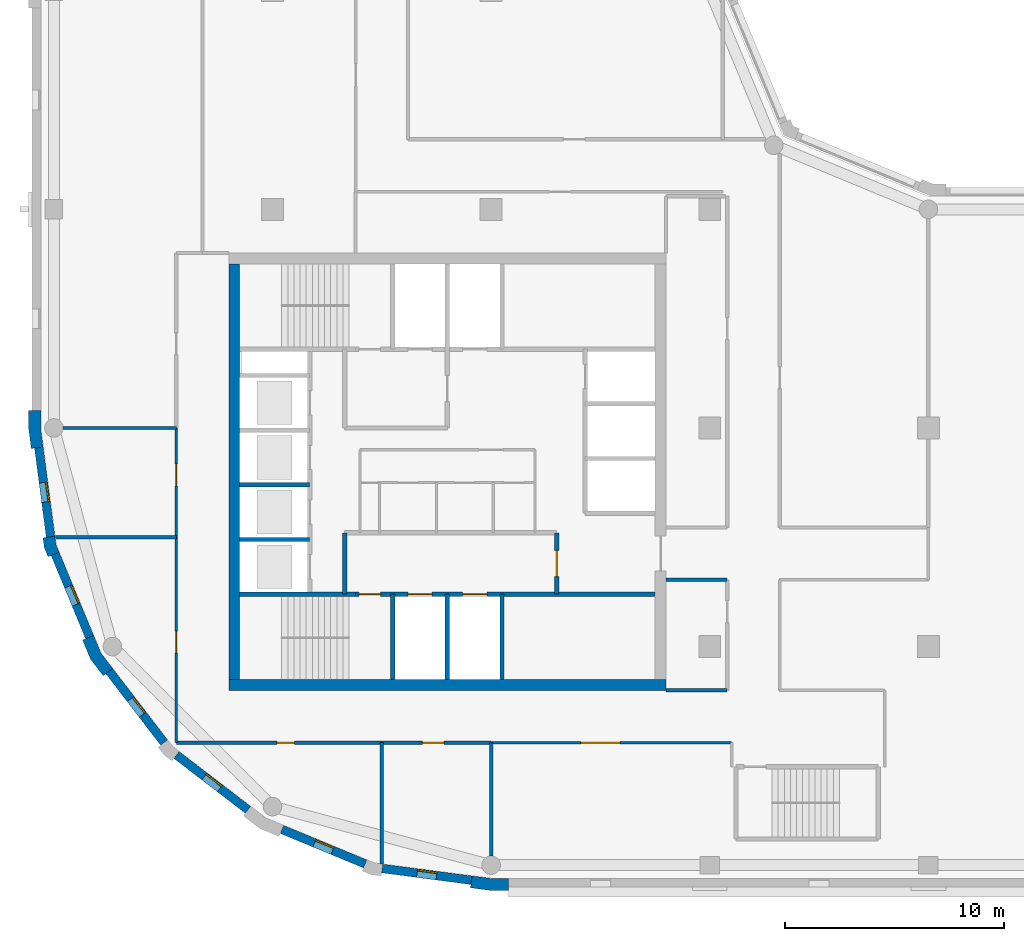
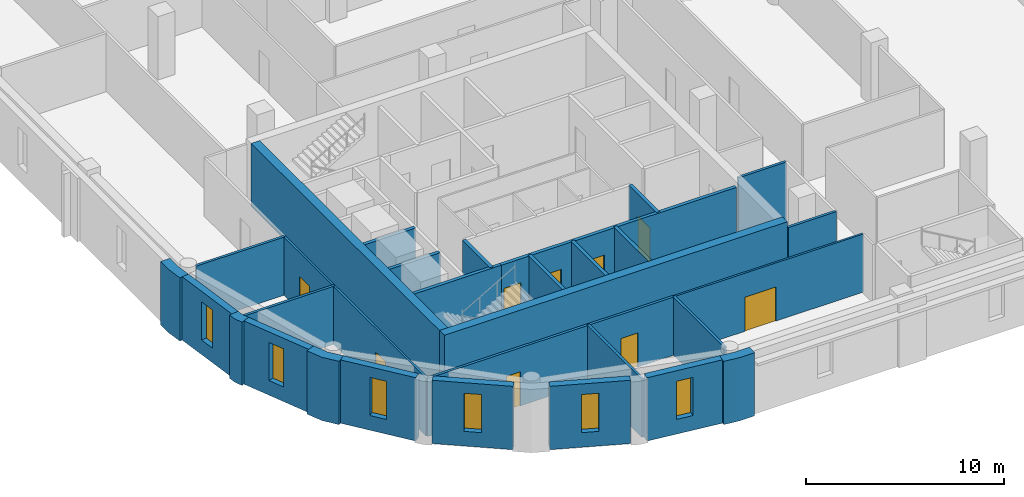
# One storey, part 2 of 9: 30 walls, 9 doors, 6 windows, 15 openings.
"""IFC4 building model written with IfcOpenShell, lengths in metres."""

from ifc_helpers import new_model, si_unit, direction, frame, frame_2d, origin, place, context, subcontext, project, spatial, polyline, rectangle, outline, extrude, material, layer, layer_set, type_object, element, fill, save


model = new_model("IFC4")

# Units and contexts
model_context = context("Model", 3, precision=1e-05, world=origin(), true_north=direction((0.0, 1.0)))
body_context = subcontext(model_context, "Body", "Model", "MODEL_VIEW")
ifc_project = project(units=[si_unit("LENGTHUNIT", "METRE"), si_unit("AREAUNIT", "SQUARE_METRE"), si_unit("VOLUMEUNIT", "CUBIC_METRE"), si_unit("PLANEANGLEUNIT", "RADIAN"), si_unit("MASSUNIT", "GRAM", prefix="KILO")], contexts=[model_context])

# Site, building, storey
site_placement = place(None, origin())
site = spatial("IfcSite", under=ifc_project, at=site_placement, CompositionType="ELEMENT")
building_placement = place(site_placement, origin())
building = spatial("IfcBuilding", under=site, at=building_placement, Name="Qaws Garden Tower", CompositionType="ELEMENT")
storey_placement = place(building_placement, frame((0.0, 0.0, 267.0)))
storey = spatial("IfcBuildingStorey", under=building, at=storey_placement, Name="L64", CompositionType="ELEMENT", Elevation=267.0)

# Wall, opening, window
ifc_material_1 = material(Name="Clay facing brick masonry", Category="masonry")
ifc_layer_1 = layer(ifc_material_1, 0.39990234375)
ifc_layer_set_1 = layer_set([ifc_layer_1], Name="Clay facing brick masonry")
wall_type_1 = type_object("IfcWallType", Name="Brick infill wall 400", PredefinedType="SOLIDWALL", material=ifc_layer_set_1)
wall_1_placement = place(storey_placement, frame((-0.688720703125, 19.102294921875, 0.0), z_axis=(0.0, 0.0, 1.0), x_axis=(0.130514280502, -0.991446429508, 0.0)))
wall_1 = element("IfcWall", 1, at=wall_1_placement, inside=storey, type_object=wall_type_1, Name="E-L64-infill-23", PredefinedType="SOLIDWALL", context=body_context, shape_type="SweptSolid", body=[
    extrude(rectangle(XDim=4.120849609375, YDim=0.39990234375, at=frame_2d((2.060546875, 0.0))), origin(), (0.0, 0.0, 1.0), 3.89990234375),
])
opening_1_placement = place(wall_1_placement, frame((1.610595703125, 0.0, 0.89990234375)))
opening_1 = element("IfcOpeningElement", 2, at=opening_1_placement, cuts=wall_1, Name="Opening W09", PredefinedType="OPENING", context=body_context, shape_type="SweptSolid", body=[
    extrude(rectangle(XDim=0.89990234375, YDim=2.35009765625, at=frame_2d((0.449951171875, 1.175048828125))), frame((0.0, 0.2099609375, 0.0), z_axis=(0.0, -1.0, 0.0), x_axis=(1.0, 0.0, 0.0)), (0.0, 0.0, 1.0), 0.419921875),
])
ifc_material_2 = material(Name="Aluminium framed window, clear glazing", Category="aluminium")
window_type = type_object("IfcWindowType", Name="Slit window 900 x 2350", PartitioningType="SINGLE_PANEL", PredefinedType="WINDOW", material=ifc_material_2)
window_1_placement = place(opening_1_placement, origin())
window_1 = element("IfcWindow", 3, at=window_1_placement, inside=storey, type_object=window_type, Name="E-L64-window-23-0", OverallHeight=2.35009765625, OverallWidth=0.89990234375, PartitioningType="SINGLE_PANEL", PredefinedType="WINDOW", context=body_context, shape_type="SweptSolid", body=[
    extrude(rectangle(XDim=0.89990234375, YDim=2.35009765625, at=frame_2d((0.449951171875, 1.175048828125))), frame((0.0, 0.159912109375, 0.0), z_axis=(0.0, -1.0, 0.0), x_axis=(1.0, 0.0, 0.0)), (0.0, 0.0, 1.0), 0.06005859375),
])
fill(opening_1, window_1)

wall_2_placement = place(storey_placement, frame((0.05712890625, 14.240234375, 0.0), z_axis=(0.0, 0.0, 1.0), x_axis=(0.382721546029, -0.923863744394, 0.0)))
wall_2 = element("IfcWall", 4, at=wall_2_placement, inside=storey, type_object=wall_type_1, Name="E-L64-infill-24", PredefinedType="SOLIDWALL", context=body_context, shape_type="SweptSolid", body=[
    extrude(rectangle(XDim=4.120849609375, YDim=0.39990234375, at=frame_2d((2.060546875, 0.0))), origin(), (0.0, 0.0, 1.0), 3.89990234375),
])
opening_2_placement = place(wall_2_placement, frame((1.610595703125, 0.0, 0.89990234375)))
opening_2 = element("IfcOpeningElement", 5, at=opening_2_placement, cuts=wall_2, Name="Opening W09", PredefinedType="OPENING", context=body_context, shape_type="SweptSolid", body=[
    extrude(rectangle(XDim=0.89990234375, YDim=2.35009765625, at=frame_2d((0.449951171875, 1.175048828125))), frame((0.0, 0.2099609375, 0.0), z_axis=(0.0, -1.0, 0.0), x_axis=(1.0, 0.0, 0.0)), (0.0, 0.0, 1.0), 0.419921875),
])
window_2_placement = place(opening_2_placement, origin())
window_2 = element("IfcWindow", 6, at=window_2_placement, inside=storey, type_object=window_type, Name="E-L64-window-24-0", OverallHeight=2.35009765625, OverallWidth=0.89990234375, PartitioningType="SINGLE_PANEL", PredefinedType="WINDOW", context=body_context, shape_type="SweptSolid", body=[
    extrude(rectangle(XDim=0.89990234375, YDim=2.35009765625, at=frame_2d((0.449951171875, 1.175048828125))), frame((0.0, 0.159912109375, 0.0), z_axis=(0.0, -1.0, 0.0), x_axis=(1.0, 0.0, 0.0)), (0.0, 0.0, 1.0), 0.06005859375),
])
fill(opening_2, window_2)

wall_3_placement = place(storey_placement, frame((2.53173828125, 8.87841796875, 0.0), z_axis=(0.0, 0.0, 1.0), x_axis=(0.608759824817, -0.793354571229, 0.0)))
wall_3 = element("IfcWall", 7, at=wall_3_placement, inside=storey, type_object=wall_type_1, Name="E-L64-infill-25", PredefinedType="SOLIDWALL", context=body_context, shape_type="SweptSolid", body=[
    extrude(rectangle(XDim=4.12109375, YDim=0.39990234375, at=frame_2d((2.060546875, 0.0))), origin(), (0.0, 0.0, 1.0), 3.89990234375),
])
opening_3_placement = place(wall_3_placement, frame((1.610595703125, 0.0, 0.89990234375)))
opening_3 = element("IfcOpeningElement", 8, at=opening_3_placement, cuts=wall_3, Name="Opening W09", PredefinedType="OPENING", context=body_context, shape_type="SweptSolid", body=[
    extrude(rectangle(XDim=0.89990234375, YDim=2.35009765625, at=frame_2d((0.449951171875, 1.175048828125))), frame((0.0, 0.2099609375, 0.0), z_axis=(0.0, -1.0, 0.0), x_axis=(1.0, 0.0, 0.0)), (0.0, 0.0, 1.0), 0.419921875),
])
window_3_placement = place(opening_3_placement, origin())
window_3 = element("IfcWindow", 9, at=window_3_placement, inside=storey, type_object=window_type, Name="E-L64-window-25-0", OverallHeight=2.35009765625, OverallWidth=0.89990234375, PartitioningType="SINGLE_PANEL", PredefinedType="WINDOW", context=body_context, shape_type="SweptSolid", body=[
    extrude(rectangle(XDim=0.89990234375, YDim=2.35009765625, at=frame_2d((0.449951171875, 1.175048828125))), frame((0.0, 0.159912109375, 0.0), z_axis=(0.0, -1.0, 0.0), x_axis=(1.0, 0.0, 0.0)), (0.0, 0.0, 1.0), 0.06005859375),
])
fill(opening_3, window_3)

wall_4_placement = place(storey_placement, frame((5.60888671875, 5.04052734375, 0.0), z_axis=(0.0, 0.0, 1.0), x_axis=(0.793354571229, -0.608759824817, 0.0)))
wall_4 = element("IfcWall", 10, at=wall_4_placement, inside=storey, type_object=wall_type_1, Name="E-L64-infill-26", PredefinedType="SOLIDWALL", context=body_context, shape_type="SweptSolid", body=[
    extrude(rectangle(XDim=4.12109375, YDim=0.39990234375, at=frame_2d((2.060546875, 0.0))), origin(), (0.0, 0.0, 1.0), 3.89990234375),
])
opening_4_placement = place(wall_4_placement, frame((1.610595703125, 0.0, 0.89990234375)))
opening_4 = element("IfcOpeningElement", 11, at=opening_4_placement, cuts=wall_4, Name="Opening W09", PredefinedType="OPENING", context=body_context, shape_type="SweptSolid", body=[
    extrude(rectangle(XDim=0.89990234375, YDim=2.35009765625, at=frame_2d((0.449951171875, 1.175048828125))), frame((0.0, 0.2099609375, 0.0), z_axis=(0.0, -1.0, 0.0), x_axis=(1.0, 0.0, 0.0)), (0.0, 0.0, 1.0), 0.419921875),
])
window_4_placement = place(opening_4_placement, origin())
window_4 = element("IfcWindow", 12, at=window_4_placement, inside=storey, type_object=window_type, Name="E-L64-window-26-0", OverallHeight=2.35009765625, OverallWidth=0.89990234375, PartitioningType="SINGLE_PANEL", PredefinedType="WINDOW", context=body_context, shape_type="SweptSolid", body=[
    extrude(rectangle(XDim=0.89990234375, YDim=2.35009765625, at=frame_2d((0.449951171875, 1.175048828125))), frame((0.0, 0.159912109375, 0.0), z_axis=(0.0, -1.0, 0.0), x_axis=(1.0, 0.0, 0.0)), (0.0, 0.0, 1.0), 0.06005859375),
])
fill(opening_4, window_4)

wall_5_placement = place(storey_placement, frame((10.43310546875, 1.63427734375, 0.0), z_axis=(0.0, 0.0, 1.0), x_axis=(0.923863744394, -0.382721546029, 0.0)))
wall_5 = element("IfcWall", 13, at=wall_5_placement, inside=storey, type_object=wall_type_1, Name="E-L64-infill-27", PredefinedType="SOLIDWALL", context=body_context, shape_type="SweptSolid", body=[
    extrude(rectangle(XDim=4.120849609375, YDim=0.39990234375, at=frame_2d((2.060546875, 0.0))), origin(), (0.0, 0.0, 1.0), 3.89990234375),
])
opening_5_placement = place(wall_5_placement, frame((1.610595703125, 0.0, 0.89990234375)))
opening_5 = element("IfcOpeningElement", 14, at=opening_5_placement, cuts=wall_5, Name="Opening W09", PredefinedType="OPENING", context=body_context, shape_type="SweptSolid", body=[
    extrude(rectangle(XDim=0.89990234375, YDim=2.35009765625, at=frame_2d((0.449951171875, 1.175048828125))), frame((0.0, 0.2099609375, 0.0), z_axis=(0.0, -1.0, 0.0), x_axis=(1.0, 0.0, 0.0)), (0.0, 0.0, 1.0), 0.419921875),
])
window_5_placement = place(opening_5_placement, origin())
window_5 = element("IfcWindow", 15, at=window_5_placement, inside=storey, type_object=window_type, Name="E-L64-window-27-0", OverallHeight=2.35009765625, OverallWidth=0.89990234375, PartitioningType="SINGLE_PANEL", PredefinedType="WINDOW", context=body_context, shape_type="SweptSolid", body=[
    extrude(rectangle(XDim=0.89990234375, YDim=2.35009765625, at=frame_2d((0.449951171875, 1.175048828125))), frame((0.0, 0.159912109375, 0.0), z_axis=(0.0, -1.0, 0.0), x_axis=(1.0, 0.0, 0.0)), (0.0, 0.0, 1.0), 0.06005859375),
])
fill(opening_5, window_5)

wall_6_placement = place(storey_placement, frame((15.0166015625, -0.15087890625, 0.0), z_axis=(0.0, 0.0, 1.0), x_axis=(0.991446429508, -0.130514280502, 0.0)))
wall_6 = element("IfcWall", 16, at=wall_6_placement, inside=storey, type_object=wall_type_1, Name="E-L64-infill-28", PredefinedType="SOLIDWALL", context=body_context, shape_type="SweptSolid", body=[
    extrude(rectangle(XDim=4.120849609375, YDim=0.39990234375, at=frame_2d((2.060546875, 0.0))), origin(), (0.0, 0.0, 1.0), 3.89990234375),
])
opening_6_placement = place(wall_6_placement, frame((1.610595703125, 0.0, 0.89990234375)))
opening_6 = element("IfcOpeningElement", 17, at=opening_6_placement, cuts=wall_6, Name="Opening W09", PredefinedType="OPENING", context=body_context, shape_type="SweptSolid", body=[
    extrude(rectangle(XDim=0.89990234375, YDim=2.35009765625, at=frame_2d((0.449951171875, 1.175048828125))), frame((0.0, 0.2099609375, 0.0), z_axis=(0.0, -1.0, 0.0), x_axis=(1.0, 0.0, 0.0)), (0.0, 0.0, 1.0), 0.419921875),
])
window_6_placement = place(opening_6_placement, origin())
window_6 = element("IfcWindow", 18, at=window_6_placement, inside=storey, type_object=window_type, Name="E-L64-window-28-0", OverallHeight=2.35009765625, OverallWidth=0.89990234375, PartitioningType="SINGLE_PANEL", PredefinedType="WINDOW", context=body_context, shape_type="SweptSolid", body=[
    extrude(rectangle(XDim=0.89990234375, YDim=2.35009765625, at=frame_2d((0.449951171875, 1.175048828125))), frame((0.0, 0.159912109375, 0.0), z_axis=(0.0, -1.0, 0.0), x_axis=(1.0, 0.0, 0.0)), (0.0, 0.0, 1.0), 0.06005859375),
])
fill(opening_6, window_6)

# Walls
ifc_material_3 = material(Name="Clay facing brick masonry", Category="masonry")
ifc_layer_2 = layer(ifc_material_3, 0.550048828125)
ifc_layer_set_2 = layer_set([ifc_layer_2], Name="Clay facing brick masonry")
wall_type_2 = type_object("IfcWallType", Name="Brick kink pier 550 x 600", PredefinedType="SOLIDWALL", material=ifc_layer_set_2)
placement = place(storey_placement, origin())
element("IfcWall", 19, at=placement, inside=storey, type_object=wall_type_2, Name="E-L64-pier-24", PredefinedType="SOLIDWALL", context=body_context, shape_type="SweptSolid", body=[
    extrude(outline(polyline([(-0.34912109375, 14.990478515625), (-0.497802734375, 14.970947265625), (-0.43896484375, 14.5234375), (-0.26611328125, 14.1064453125), (-0.127685546875, 14.163818359375), (0.241943359375, 14.31689453125), (0.096923828125, 14.6669921875), (0.04736328125, 15.042724609375), (-0.34912109375, 14.990478515625)])), origin(), (0.0, 0.0, 1.0), 3.89990234375),
])
ifc_material_4 = material(Name="Clay facing brick masonry", Category="masonry")
ifc_layer_3 = layer(ifc_material_4, 0.550048828125)
ifc_layer_set_3 = layer_set([ifc_layer_3], Name="Clay facing brick masonry")
wall_type_3 = type_object("IfcWallType", Name="Brick pier 550 x 1600", PredefinedType="SOLIDWALL", material=ifc_layer_set_3)
element("IfcWall", 20, at=placement, inside=storey, type_object=wall_type_3, Name="E-L64-pier-00", PredefinedType="SOLIDWALL", context=body_context, shape_type="SweptSolid", body=[
    extrude(outline(polyline([(19.076416015625, -0.886962890625), (19.056640625, -1.03564453125), (19.924560546875, -1.14990234375), (20.800048828125, -1.14990234375), (20.800048828125, -1.0), (20.800048828125, -0.60009765625), (19.960693359375, -0.60009765625), (19.12841796875, -0.490478515625), (19.076416015625, -0.886962890625)])), origin(), (0.0, 0.0, 1.0), 3.89990234375),
])
element("IfcWall", 21, at=placement, inside=storey, type_object=wall_type_3, Name="E-L64-pier-23", PredefinedType="SOLIDWALL", context=body_context, shape_type="SweptSolid", body=[
    extrude(outline(polyline([(-1.0, 20.800048828125), (-1.14990234375, 20.800048828125), (-1.14990234375, 19.924560546875), (-1.03564453125, 19.056640625), (-0.886962890625, 19.076416015625), (-0.490478515625, 19.12841796875), (-0.60009765625, 19.960693359375), (-0.60009765625, 20.800048828125), (-1.0, 20.800048828125)])), origin(), (0.0, 0.0, 1.0), 3.89990234375),
])
element("IfcWall", 22, at=placement, inside=storey, type_object=wall_type_3, Name="E-L64-pier-25", PredefinedType="SOLIDWALL", context=body_context, shape_type="SweptSolid", body=[
    extrude(outline(polyline([(1.449462890625, 10.3564453125), (1.310791015625, 10.299072265625), (1.675048828125, 9.419921875), (2.254150390625, 8.665283203125), (2.373046875, 8.756591796875), (2.6904296875, 9.0), (2.1552734375, 9.697509765625), (1.819091796875, 10.509521484375), (1.449462890625, 10.3564453125)])), origin(), (0.0, 0.0, 1.0), 3.89990234375),
])
ifc_material_5 = material(Name="Concrete C60", Category="concrete")
ifc_layer_4 = layer(ifc_material_5, 0.199951171875)
ifc_layer_set_4 = layer_set([ifc_layer_4], Name="Concrete C60")
wall_type_4 = type_object("IfcWallType", Name="Core shaft wall 200 C60", PredefinedType="SHEAR", material=ifc_layer_set_4)
wall_11_placement = place(storey_placement, frame((8.5, 12.39990234375, 0.0), z_axis=(0.0, 0.0, 1.0), x_axis=(1.0, 0.0, 0.0)))
element("IfcWall", 23, at=wall_11_placement, inside=storey, type_object=wall_type_4, Name="Shaft wall", PredefinedType="SHEAR", context=body_context, shape_type="SweptSolid", body=[
    extrude(rectangle(XDim=5.300048828125, YDim=0.199951171875, at=frame_2d((2.64990234375, 0.0))), origin(), (0.0, 0.0, 1.0), 3.580078125),
])

# Wall, openings, doors
wall_12_placement = place(storey_placement, frame((13.800048828125, 12.39990234375, 0.0), z_axis=(0.0, 0.0, 1.0), x_axis=(1.0, 0.0, 0.0)))
wall_12 = element("IfcWall", 24, at=wall_12_placement, inside=storey, type_object=wall_type_4, Name="Shaft wall", PredefinedType="SHEAR", context=body_context, shape_type="SweptSolid", body=[
    extrude(rectangle(XDim=13.699951171875, YDim=0.199951171875, at=frame_2d((6.85009765625, 0.0))), origin(), (0.0, 0.0, 1.0), 3.580078125),
])
opening_7_placement = place(wall_12_placement, frame((2.39990234375, 0.0, 0.0)))
opening_7 = element("IfcOpeningElement", 25, at=opening_7_placement, cuts=wall_12, Name="Opening LD06", PredefinedType="OPENING", context=body_context, shape_type="SweptSolid", body=[
    extrude(rectangle(XDim=1.10009765625, YDim=2.10009765625, at=frame_2d((0.550048828125, 1.050048828125))), frame((0.0, 0.10986328125, 0.0), z_axis=(0.0, -1.0, 0.0), x_axis=(1.0, 0.0, 0.0)), (0.0, 0.0, 1.0), 0.219970703125),
])
opening_8_placement = place(wall_12_placement, frame((4.89990234375, 0.0, 0.0)))
opening_8 = element("IfcOpeningElement", 26, at=opening_8_placement, cuts=wall_12, Name="Opening LD07", PredefinedType="OPENING", context=body_context, shape_type="SweptSolid", body=[
    extrude(rectangle(XDim=1.10009765625, YDim=2.10009765625, at=frame_2d((0.550048828125, 1.050048828125))), frame((0.0, 0.10986328125, 0.0), z_axis=(0.0, -1.0, 0.0), x_axis=(1.0, 0.0, 0.0)), (0.0, 0.0, 1.0), 0.219970703125),
])
opening_9_placement = place(wall_12_placement, frame((0.14990234375, 0.0, 0.0)))
opening_9 = element("IfcOpeningElement", 27, at=opening_9_placement, cuts=wall_12, Name="Opening SD10", PredefinedType="OPENING", context=body_context, shape_type="SweptSolid", body=[
    extrude(rectangle(XDim=1.0, YDim=2.10009765625, at=frame_2d((0.5, 1.050048828125))), frame((0.0, 0.10986328125, 0.0), z_axis=(0.0, -1.0, 0.0), x_axis=(1.0, 0.0, 0.0)), (0.0, 0.0, 1.0), 0.219970703125),
])
ifc_material_6 = material(Name="Steel S235", Category="steel")
door_type_1 = type_object("IfcDoorType", Name="Landing door 1100x2100", OperationType="DOUBLE_DOOR_SLIDING", PredefinedType="DOOR", material=ifc_material_6)
door_1_placement = place(opening_7_placement, origin())
door_1 = element("IfcDoor", 28, at=door_1_placement, inside=storey, type_object=door_type_1, Name="Lift FF1 landing door", OperationType="DOUBLE_DOOR_SLIDING", OverallHeight=2.10009765625, OverallWidth=1.10009765625, PredefinedType="DOOR", context=body_context, shape_type="SweptSolid", body=[
    extrude(rectangle(XDim=1.10009765625, YDim=2.10009765625, at=frame_2d((0.550048828125, 1.050048828125))), frame((0.0, 0.02490234375, 0.0), z_axis=(0.0, -1.0, 0.0), x_axis=(1.0, 0.0, 0.0)), (0.0, 0.0, 1.0), 0.050048828125),
])
fill(opening_7, door_1)
door_2_placement = place(opening_8_placement, origin())
door_2 = element("IfcDoor", 29, at=door_2_placement, inside=storey, type_object=door_type_1, Name="Lift FF2 landing door", OperationType="DOUBLE_DOOR_SLIDING", OverallHeight=2.10009765625, OverallWidth=1.10009765625, PredefinedType="DOOR", context=body_context, shape_type="SweptSolid", body=[
    extrude(rectangle(XDim=1.10009765625, YDim=2.10009765625, at=frame_2d((0.550048828125, 1.050048828125))), frame((0.0, 0.02490234375, 0.0), z_axis=(0.0, -1.0, 0.0), x_axis=(1.0, 0.0, 0.0)), (0.0, 0.0, 1.0), 0.050048828125),
])
fill(opening_8, door_2)
ifc_material_7 = material(Name="Steel S235", Category="steel")
door_type_2 = type_object("IfcDoorType", Name="Stair door 1000x2100", OperationType="SINGLE_SWING_RIGHT", PredefinedType="DOOR", material=ifc_material_7)
door_3_placement = place(opening_9_placement, frame((1.0, 0.0, 0.0), z_axis=(0.0, 0.0, 1.0), x_axis=(-1.0, 0.0, 0.0)))
door_3 = element("IfcDoor", 30, at=door_3_placement, inside=storey, type_object=door_type_2, Name="Stair 1 door", OperationType="SINGLE_SWING_LEFT", OverallHeight=2.10009765625, OverallWidth=1.0, PredefinedType="DOOR", context=body_context, shape_type="SweptSolid", body=[
    extrude(rectangle(XDim=1.0, YDim=2.10009765625, at=frame_2d((0.5, 1.050048828125))), frame((0.0, 0.02490234375, 0.0), z_axis=(0.0, -1.0, 0.0), x_axis=(1.0, 0.0, 0.0)), (0.0, 0.0, 1.0), 0.050048828125),
])
fill(opening_9, door_3)

# Walls
for number, where, z_axis, x_axis, name in (
    (31, (8.5, 14.89990234375, 0.0), (0.0, 0.0, 1.0), (1.0, 0.0, 0.0), "Shaft wall"),
    (32, (8.5, 17.39990234375, 0.0), (0.0, 0.0, 1.0), (1.0, 0.0, 0.0), "Shaft wall"),
):
    element("IfcWall", number, at=place(storey_placement, frame(where, z_axis=z_axis, x_axis=x_axis)), inside=storey, type_object=wall_type_4, Name=name, PredefinedType="SHEAR", context=body_context, shape_type="SweptSolid", body=[
        extrude(rectangle(XDim=3.199951171875, YDim=0.199951171875, at=frame_2d((1.60009765625, 0.0))), origin(), (0.0, 0.0, 1.0), 3.580078125),
    ])
wall_13_placement = place(storey_placement, frame((13.300048828125, 12.39990234375, 0.0), z_axis=(0.0, 0.0, 1.0), x_axis=(0.0, 1.0, 0.0)))
element("IfcWall", 33, at=wall_13_placement, inside=storey, type_object=wall_type_4, Name="Shaft wall", PredefinedType="SHEAR", context=body_context, shape_type="SweptSolid", body=[
    extrude(rectangle(XDim=2.800048828125, YDim=0.199951171875, at=frame_2d((1.39990234375, 0.0))), origin(), (0.0, 0.0, 1.0), 3.580078125),
])
for number, where, z_axis, x_axis, name in (
    (34, (15.5, 8.5, 0.0), (0.0, 0.0, 1.0), (0.0, 1.0, 0.0), "Shaft wall"),
    (35, (18.0, 8.5, 0.0), (0.0, 0.0, 1.0), (0.0, 1.0, 0.0), "Shaft wall"),
    (36, (20.5, 8.5, 0.0), (0.0, 0.0, 1.0), (0.0, 1.0, 0.0), "Shaft wall"),
):
    element("IfcWall", number, at=place(storey_placement, frame(where, z_axis=z_axis, x_axis=x_axis)), inside=storey, type_object=wall_type_4, Name=name, PredefinedType="SHEAR", context=body_context, shape_type="SweptSolid", body=[
        extrude(rectangle(XDim=3.89990234375, YDim=0.199951171875, at=frame_2d((1.949951171875, 0.0))), origin(), (0.0, 0.0, 1.0), 3.580078125),
    ])

# Wall, opening, door
wall_14_placement = place(storey_placement, frame((23.0, 12.39990234375, 0.0), z_axis=(0.0, 0.0, 1.0), x_axis=(0.0, 1.0, 0.0)))
wall_14 = element("IfcWall", 37, at=wall_14_placement, inside=storey, type_object=wall_type_4, Name="Shaft wall", PredefinedType="SHEAR", context=body_context, shape_type="SweptSolid", body=[
    extrude(rectangle(XDim=2.800048828125, YDim=0.199951171875, at=frame_2d((1.39990234375, 0.0))), origin(), (0.0, 0.0, 1.0), 3.580078125),
])
opening_10_placement = place(wall_14_placement, frame((0.800048828125, 0.0, 0.0)))
opening_10 = element("IfcOpeningElement", 38, at=opening_10_placement, cuts=wall_14, Name="Opening FD15", PredefinedType="OPENING", context=body_context, shape_type="SweptSolid", body=[
    extrude(rectangle(XDim=1.199951171875, YDim=2.10009765625, at=frame_2d((0.60009765625, 1.050048828125))), frame((0.0, 0.10986328125, 0.0), z_axis=(0.0, -1.0, 0.0), x_axis=(1.0, 0.0, 0.0)), (0.0, 0.0, 1.0), 0.219970703125),
])
ifc_material_8 = material(Name="Steel S235", Category="steel")
door_type_3 = type_object("IfcDoorType", Name="Lobby door 1200x2100", OperationType="DOUBLE_DOOR_SINGLE_SWING", PredefinedType="DOOR", material=ifc_material_8)
door_4_placement = place(opening_10_placement, origin())
door_4 = element("IfcDoor", 39, at=door_4_placement, inside=storey, type_object=door_type_3, Name="Fire-fighting lobby door", OperationType="DOUBLE_DOOR_SINGLE_SWING", OverallHeight=2.10009765625, OverallWidth=1.199951171875, PredefinedType="DOOR", context=body_context, shape_type="SweptSolid", body=[
    extrude(rectangle(XDim=1.199951171875, YDim=2.10009765625, at=frame_2d((0.60009765625, 1.050048828125))), frame((0.0, 0.02490234375, 0.0), z_axis=(0.0, -1.0, 0.0), x_axis=(1.0, 0.0, 0.0)), (0.0, 0.0, 1.0), 0.050048828125),
])
fill(opening_10, door_4)

# Walls
ifc_material_9 = material(Name="Concrete C60", Category="concrete")
ifc_layer_5 = layer(ifc_material_9, 0.5)
ifc_layer_set_5 = layer_set([ifc_layer_5], Name="Concrete C60")
wall_type_5 = type_object("IfcWallType", Name="Core wall 500 C60", PredefinedType="SHEAR", material=ifc_layer_set_5)
wall_15_placement = place(storey_placement, frame((8.0, 8.25, 0.0), z_axis=(0.0, 0.0, 1.0), x_axis=(1.0, 0.0, 0.0)))
element("IfcWall", 40, at=wall_15_placement, inside=storey, type_object=wall_type_5, Name="Core wall L64 south", PredefinedType="SHEAR", context=body_context, shape_type="SweptSolid", body=[
    extrude(rectangle(XDim=20.0, YDim=0.5, at=frame_2d((10.0, 0.0))), origin(), (0.0, 0.0, 1.0), 3.89990234375),
])
wall_16_placement = place(storey_placement, frame((8.25, 27.5, 0.0), z_axis=(0.0, 0.0, 1.0), x_axis=(0.0, -1.0, 0.0)))
element("IfcWall", 41, at=wall_16_placement, inside=storey, type_object=wall_type_5, Name="Core wall L64 west", PredefinedType="SHEAR", context=body_context, shape_type="SweptSolid", body=[
    extrude(rectangle(XDim=19.0, YDim=0.5, at=frame_2d((9.5, 0.0))), origin(), (0.0, 0.0, 1.0), 3.89990234375),
])

# Wall, openings, doors
ifc_material_10 = material(Name="Glass and aluminium framing", Category="aluminium")
ifc_layer_6 = layer(ifc_material_10, 0.1201171875)
ifc_layer_set_6 = layer_set([ifc_layer_6], Name="Glass and aluminium framing")
wall_type_6 = type_object("IfcWallType", Name="GLAZED PARTITION 120 EI 30", PredefinedType="PARTITIONING", material=ifc_layer_set_6)
wall_17_placement = place(storey_placement, frame((5.60009765625, 5.60009765625, 0.0), z_axis=(0.0, 0.0, 1.0), x_axis=(0.0, 1.0, 0.0)))
wall_17 = element("IfcWall", 42, at=wall_17_placement, inside=storey, type_object=wall_type_6, Name="O-L64-wall-039", PredefinedType="PARTITIONING", context=body_context, shape_type="SweptSolid", body=[
    extrude(rectangle(XDim=14.39990234375, YDim=0.1201171875, at=frame_2d((7.199951171875, 0.0))), origin(), (0.0, 0.0, 1.0), 3.580078125),
])
opening_11_placement = place(wall_17_placement, frame((4.10009765625, 0.0, 0.0)))
opening_11 = element("IfcOpeningElement", 43, at=opening_11_placement, cuts=wall_17, Name="Opening C201", PredefinedType="OPENING", context=body_context, shape_type="SweptSolid", body=[
    extrude(rectangle(XDim=1.0, YDim=2.10009765625, at=frame_2d((0.5, 1.050048828125))), frame((0.0, 0.070068359375, 0.0), z_axis=(0.0, -1.0, 0.0), x_axis=(1.0, 0.0, 0.0)), (0.0, 0.0, 1.0), 0.14013671875),
])
opening_12_placement = place(wall_17_placement, frame((11.75, 0.0, 0.0)))
opening_12 = element("IfcOpeningElement", 44, at=opening_12_placement, cuts=wall_17, Name="Opening C202", PredefinedType="OPENING", context=body_context, shape_type="SweptSolid", body=[
    extrude(rectangle(XDim=1.0, YDim=2.10009765625, at=frame_2d((0.5, 1.050048828125))), frame((0.0, 0.070068359375, 0.0), z_axis=(0.0, -1.0, 0.0), x_axis=(1.0, 0.0, 0.0)), (0.0, 0.0, 1.0), 0.14013671875),
])
ifc_material_11 = material(Name="Timber door leaf", Category="wood")
door_type_4 = type_object("IfcDoorType", Name="TENANCY ENTRANCE DOOR 1000 X 2100", OperationType="SINGLE_SWING_LEFT", PredefinedType="DOOR", material=ifc_material_11)
door_5_placement = place(opening_11_placement, origin())
door_5 = element("IfcDoor", 45, at=door_5_placement, inside=storey, type_object=door_type_4, Name="O-L64-door-001", OperationType="SINGLE_SWING_RIGHT", OverallHeight=2.10009765625, OverallWidth=1.0, PredefinedType="DOOR", context=body_context, shape_type="SweptSolid", body=[
    extrude(rectangle(XDim=1.0, YDim=2.10009765625, at=frame_2d((0.5, 1.050048828125))), frame((0.0, 0.02490234375, 0.0), z_axis=(0.0, -1.0, 0.0), x_axis=(1.0, 0.0, 0.0)), (0.0, 0.0, 1.0), 0.050048828125),
])
fill(opening_11, door_5)
door_6_placement = place(opening_12_placement, origin())
door_6 = element("IfcDoor", 46, at=door_6_placement, inside=storey, type_object=door_type_4, Name="O-L64-door-002", OperationType="SINGLE_SWING_RIGHT", OverallHeight=2.10009765625, OverallWidth=1.0, PredefinedType="DOOR", context=body_context, shape_type="SweptSolid", body=[
    extrude(rectangle(XDim=1.0, YDim=2.10009765625, at=frame_2d((0.5, 1.050048828125))), frame((0.0, 0.02490234375, 0.0), z_axis=(0.0, -1.0, 0.0), x_axis=(1.0, 0.0, 0.0)), (0.0, 0.0, 1.0), 0.050048828125),
])
fill(opening_12, door_6)

# Wall, opening, door
wall_18_placement = place(storey_placement, frame((20.0, 5.60009765625, 0.0), z_axis=(0.0, 0.0, 1.0), x_axis=(1.0, 0.0, 0.0)))
wall_18 = element("IfcWall", 47, at=wall_18_placement, inside=storey, type_object=wall_type_6, Name="O-L64-wall-049", PredefinedType="PARTITIONING", context=body_context, shape_type="SweptSolid", body=[
    extrude(rectangle(XDim=11.0, YDim=0.1201171875, at=frame_2d((5.5, 0.0))), origin(), (0.0, 0.0, 1.0), 3.580078125),
])
opening_13_placement = place(wall_18_placement, frame((4.10009765625, 0.0, 0.0)))
opening_13 = element("IfcOpeningElement", 48, at=opening_13_placement, cuts=wall_18, Name="Opening C215", PredefinedType="OPENING", context=body_context, shape_type="SweptSolid", body=[
    extrude(rectangle(XDim=1.800048828125, YDim=2.10009765625, at=frame_2d((0.89990234375, 1.050048828125))), frame((0.0, 0.070068359375, 0.0), z_axis=(0.0, -1.0, 0.0), x_axis=(1.0, 0.0, 0.0)), (0.0, 0.0, 1.0), 0.14013671875),
])
ifc_material_12 = material(Name="Timber door leaf", Category="wood")
door_type_5 = type_object("IfcDoorType", Name="DOUBLE DOOR 1800 X 2100", OperationType="DOUBLE_DOOR_SINGLE_SWING", PredefinedType="DOOR", material=ifc_material_12)
door_7_placement = place(opening_13_placement, frame((1.800048828125, 0.0, 0.0), z_axis=(0.0, 0.0, 1.0), x_axis=(-1.0, 0.0, 0.0)))
door_7 = element("IfcDoor", 49, at=door_7_placement, inside=storey, type_object=door_type_5, Name="O-L64-door-015", OperationType="DOUBLE_DOOR_SINGLE_SWING", OverallHeight=2.10009765625, OverallWidth=1.800048828125, PredefinedType="DOOR", context=body_context, shape_type="SweptSolid", body=[
    extrude(rectangle(XDim=1.800048828125, YDim=2.10009765625, at=frame_2d((0.89990234375, 1.050048828125))), frame((0.0, 0.02490234375, 0.0), z_axis=(0.0, -1.0, 0.0), x_axis=(1.0, 0.0, 0.0)), (0.0, 0.0, 1.0), 0.050048828125),
])
fill(opening_13, door_7)

# Walls
ifc_material_13 = material(Name="Gypsum board partition")
ifc_layer_7 = layer(ifc_material_13, 0.14990234375)
ifc_layer_set_7 = layer_set([ifc_layer_7], Name="Gypsum board partition")
wall_type_7 = type_object("IfcWallType", Name="PARTITION 150 EI 60", PredefinedType="PARTITIONING", material=ifc_layer_set_7)
wall_19_placement = place(storey_placement, frame((15.0, 0.06298828125, 0.0), z_axis=(0.0, 0.0, 1.0), x_axis=(0.0, 1.0, 0.0)))
element("IfcWall", 50, at=wall_19_placement, inside=storey, type_object=wall_type_7, Name="O-L64-wall-007", PredefinedType="PARTITIONING", context=body_context, shape_type="SweptSolid", body=[
    extrude(rectangle(XDim=5.537109375, YDim=0.14990234375, at=frame_2d((2.7685546875, 0.0))), origin(), (0.0, 0.0, 1.0), 3.580078125),
])
wall_20_placement = place(storey_placement, frame((20.0, 0.425048828125, 0.0), z_axis=(0.0, 0.0, 1.0), x_axis=(0.0, 1.0, 0.0)))
element("IfcWall", 51, at=wall_20_placement, inside=storey, type_object=wall_type_7, Name="O-L64-wall-010", PredefinedType="PARTITIONING", context=body_context, shape_type="SweptSolid", body=[
    extrude(rectangle(XDim=5.175048828125, YDim=0.14990234375, at=frame_2d((2.58740234375, 0.0))), origin(), (0.0, 0.0, 1.0), 3.580078125),
])

# Wall, openings, doors
wall_21_placement = place(storey_placement, frame((5.60009765625, 5.60009765625, 0.0), z_axis=(0.0, 0.0, 1.0), x_axis=(1.0, 0.0, 0.0)))
wall_21 = element("IfcWall", 52, at=wall_21_placement, inside=storey, type_object=wall_type_7, Name="O-L64-wall-018", PredefinedType="PARTITIONING", context=body_context, shape_type="SweptSolid", body=[
    extrude(rectangle(XDim=14.39990234375, YDim=0.14990234375, at=frame_2d((7.199951171875, 0.0))), origin(), (0.0, 0.0, 1.0), 3.580078125),
])
opening_14_placement = place(wall_21_placement, frame((4.60009765625, 0.0, 0.0)))
opening_14 = element("IfcOpeningElement", 53, at=opening_14_placement, cuts=wall_21, Name="Opening C211", PredefinedType="OPENING", context=body_context, shape_type="SweptSolid", body=[
    extrude(rectangle(XDim=0.800048828125, YDim=2.10009765625, at=frame_2d((0.39990234375, 1.050048828125))), frame((0.0, 0.0849609375, 0.0), z_axis=(0.0, -1.0, 0.0), x_axis=(1.0, 0.0, 0.0)), (0.0, 0.0, 1.0), 0.169921875),
])
opening_15_placement = place(wall_21_placement, frame((11.25, 0.0, 0.0)))
opening_15 = element("IfcOpeningElement", 54, at=opening_15_placement, cuts=wall_21, Name="Opening C212", PredefinedType="OPENING", context=body_context, shape_type="SweptSolid", body=[
    extrude(rectangle(XDim=1.0, YDim=2.10009765625, at=frame_2d((0.5, 1.050048828125))), frame((0.0, 0.0849609375, 0.0), z_axis=(0.0, -1.0, 0.0), x_axis=(1.0, 0.0, 0.0)), (0.0, 0.0, 1.0), 0.169921875),
])
ifc_material_14 = material(Name="Timber door leaf", Category="wood")
door_type_6 = type_object("IfcDoorType", Name="STORE DOOR 800 X 2100", OperationType="SINGLE_SWING_LEFT", PredefinedType="DOOR", material=ifc_material_14)
door_8_placement = place(opening_14_placement, frame((0.800048828125, 0.0, 0.0), z_axis=(0.0, 0.0, 1.0), x_axis=(-1.0, 0.0, 0.0)))
door_8 = element("IfcDoor", 55, at=door_8_placement, inside=storey, type_object=door_type_6, Name="O-L64-door-011", OperationType="SINGLE_SWING_LEFT", OverallHeight=2.10009765625, OverallWidth=0.800048828125, PredefinedType="DOOR", context=body_context, shape_type="SweptSolid", body=[
    extrude(rectangle(XDim=0.800048828125, YDim=2.10009765625, at=frame_2d((0.39990234375, 1.050048828125))), frame((0.0, 0.02490234375, 0.0), z_axis=(0.0, -1.0, 0.0), x_axis=(1.0, 0.0, 0.0)), (0.0, 0.0, 1.0), 0.050048828125),
])
fill(opening_14, door_8)
door_9_placement = place(opening_15_placement, frame((1.0, 0.0, 0.0), z_axis=(0.0, 0.0, 1.0), x_axis=(-1.0, 0.0, 0.0)))
door_9 = element("IfcDoor", 56, at=door_9_placement, inside=storey, type_object=door_type_4, Name="O-L64-door-012", OperationType="SINGLE_SWING_LEFT", OverallHeight=2.10009765625, OverallWidth=1.0, PredefinedType="DOOR", context=body_context, shape_type="SweptSolid", body=[
    extrude(rectangle(XDim=1.0, YDim=2.10009765625, at=frame_2d((0.5, 1.050048828125))), frame((0.0, 0.02490234375, 0.0), z_axis=(0.0, -1.0, 0.0), x_axis=(1.0, 0.0, 0.0)), (0.0, 0.0, 1.0), 0.050048828125),
])
fill(opening_15, door_9)

# Walls
for number, where, z_axis, x_axis, name in (
    (57, (28.0, 8.0, 0.0), (0.0, 0.0, 1.0), (1.0, 0.0, 0.0), "O-L64-wall-019"),
    (58, (28.0, 13.050048828125, 0.0), (0.0, 0.0, 1.0), (1.0, 0.0, 0.0), "O-L64-wall-020"),
):
    element("IfcWall", number, at=place(storey_placement, frame(where, z_axis=z_axis, x_axis=x_axis)), inside=storey, type_object=wall_type_7, Name=name, PredefinedType="PARTITIONING", context=body_context, shape_type="SweptSolid", body=[
        extrude(rectangle(XDim=2.800048828125, YDim=0.14990234375, at=frame_2d((1.39990234375, 0.0))), origin(), (0.0, 0.0, 1.0), 3.580078125),
    ])
wall_22_placement = place(storey_placement, frame((0.06298828125, 15.0, 0.0), z_axis=(0.0, 0.0, 1.0), x_axis=(1.0, 0.0, 0.0)))
element("IfcWall", 59, at=wall_22_placement, inside=storey, type_object=wall_type_7, Name="O-L64-wall-021", PredefinedType="PARTITIONING", context=body_context, shape_type="SweptSolid", body=[
    extrude(rectangle(XDim=5.537109375, YDim=0.14990234375, at=frame_2d((2.7685546875, 0.0))), origin(), (0.0, 0.0, 1.0), 3.580078125),
])
wall_23_placement = place(storey_placement, frame((0.425048828125, 20.0, 0.0), z_axis=(0.0, 0.0, 1.0), x_axis=(1.0, 0.0, 0.0)))
element("IfcWall", 60, at=wall_23_placement, inside=storey, type_object=wall_type_7, Name="O-L64-wall-024", PredefinedType="PARTITIONING", context=body_context, shape_type="SweptSolid", body=[
    extrude(rectangle(XDim=5.175048828125, YDim=0.14990234375, at=frame_2d((2.58740234375, 0.0))), origin(), (0.0, 0.0, 1.0), 3.580078125),
])

save(model, "model.ifc")
